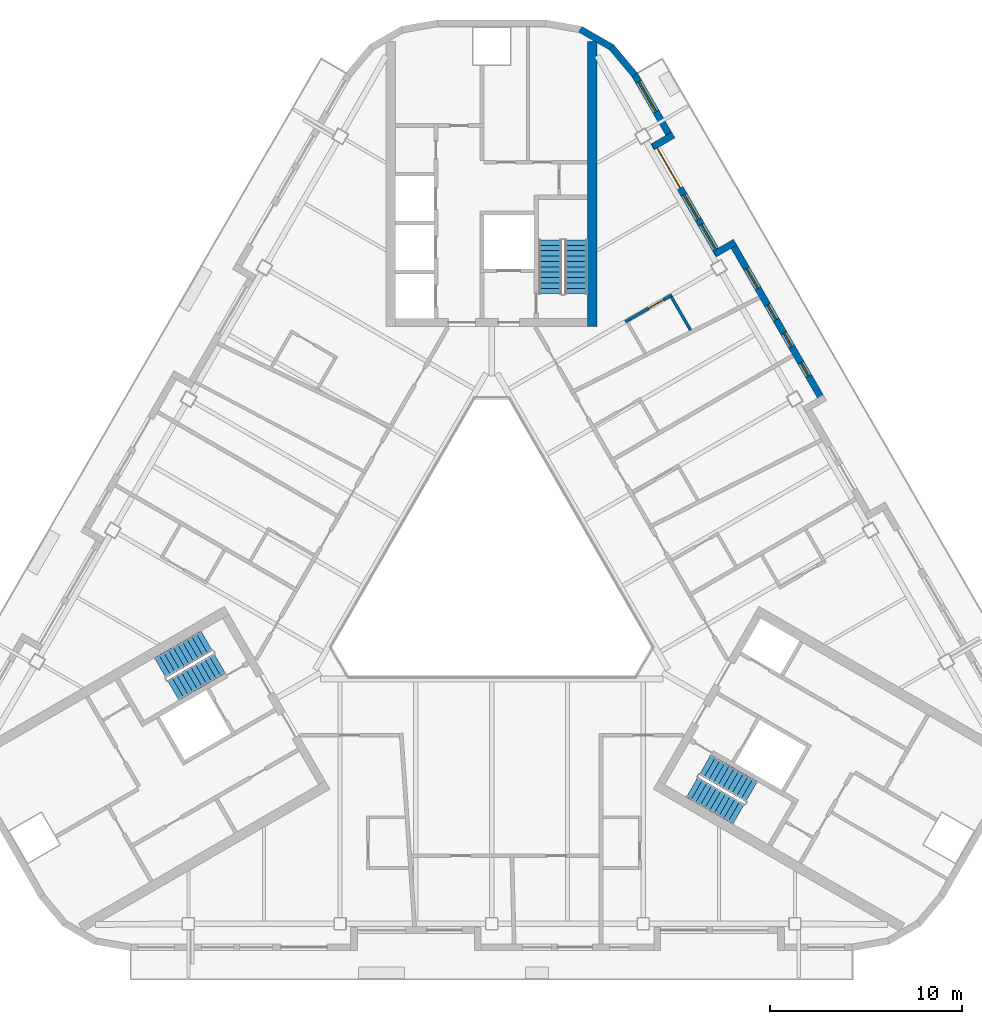
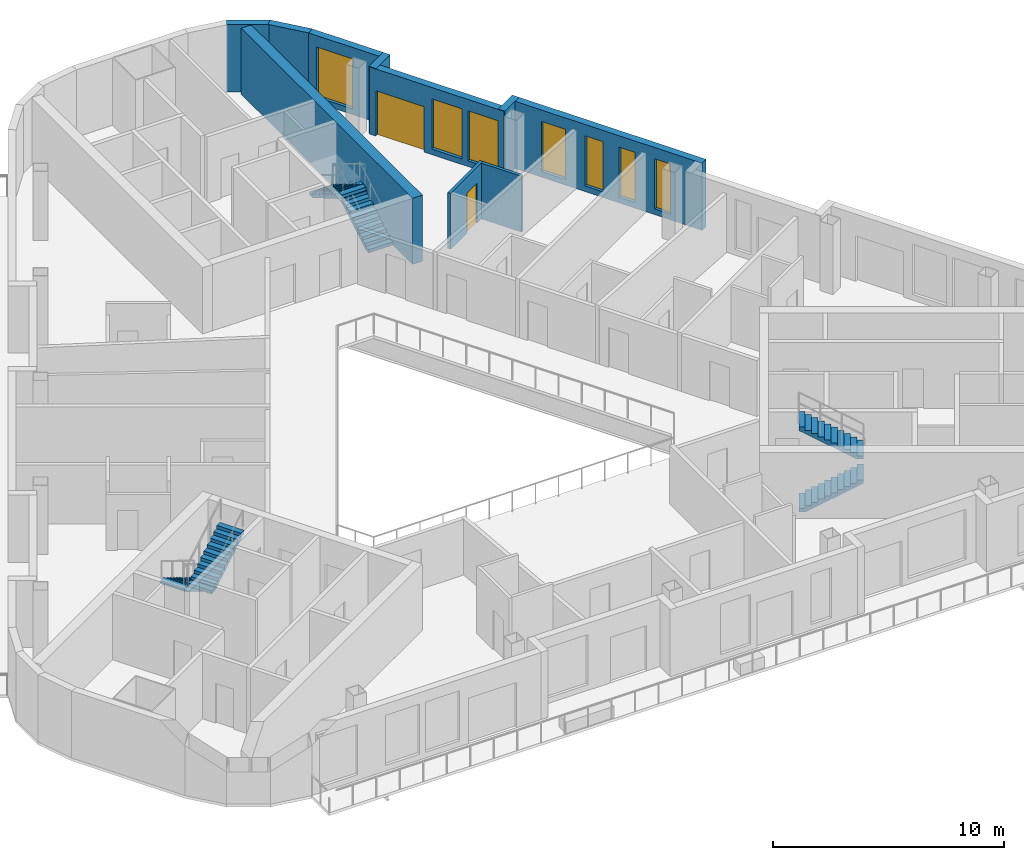
# One storey, part 8 of 14: 10 walls, 7 windows, 6 stair flights, 2 doors, 9 openings, 3 elements without a shape of their own.
"""IFC4 building model written with IfcOpenShell, lengths in metres."""

import ifcopenshell
import ifcopenshell.guid

model = None  # the IFC model being written
_history = None  # IfcOwnerHistory: only IFC2X3 demands one
_inside = {}  # id of a spatial element -> (the spatial element, [elements in it])
_under = {}  # id of a project, library or spatial element -> (it, [spatial elements below it])
_declared = {}  # id of a project -> (the project, [libraries it declares])
_typed = {}  # id of a type object -> (the type object, [elements of that type])
_made_of = {}  # id of a material, layer set ... -> (it, [elements and type objects made of it])


def new_model(schema):
    """Start an empty IFC model of exactly this schema.

    Asked for "IFC4X3", IfcOpenShell would pick the latest addendum, in which some entities
    have other attributes; the version numbers below select the first issue.
    IFC2X3 requires an IfcOwnerHistory on every rooted entity: one is made here for all.
    """
    global model, _history
    if schema == "IFC4X3":
        model = ifcopenshell.file(schema_version=(4, 3, 0, 0))
    else:
        model = ifcopenshell.file(schema=schema)
    _inside.clear()
    _under.clear()
    _declared.clear()
    _typed.clear()
    _made_of.clear()
    _history = None
    if model.schema == "IFC2X3":
        org = make("IfcOrganization", Name="unknown")
        user = make(
            "IfcPersonAndOrganization",
            ThePerson=make("IfcPerson", FamilyName="unknown"),
            TheOrganization=org,
        )
        app = make(
            "IfcApplication",
            ApplicationDeveloper=org,
            Version="unknown",
            ApplicationFullName="unknown",
            ApplicationIdentifier="unknown",
        )
        _history = make(
            "IfcOwnerHistory",
            OwningUser=user,
            OwningApplication=app,
            ChangeAction="ADDED",
            CreationDate=0,
        )
    return model


def make(cls, **values):
    """One entity of the class cls with the attributes given. An attribute that is None is left unset."""
    return model.create_entity(
        cls, **{name: value for name, value in values.items() if value is not None}
    )


def rooted(cls, **values):
    """An entity with a GlobalId (a new one), such as an element, a storey or a relation."""
    return make(cls, GlobalId=ifcopenshell.guid.new(), OwnerHistory=_history, **values)


def si_unit(unit_type, name, prefix=None):
    """IfcSIUnit, for example si_unit("LENGTHUNIT", "METRE", prefix="MILLI")."""
    return make("IfcSIUnit", UnitType=unit_type, Prefix=prefix, Name=name)


def assignment(units):
    """IfcUnitAssignment: the units of a project."""
    return None if units is None else make("IfcUnitAssignment", Units=units)


def point(xyz):
    """IfcCartesianPoint."""
    return None if xyz is None else make("IfcCartesianPoint", Coordinates=xyz)


def direction(xyz):
    """IfcDirection."""
    return None if xyz is None else make("IfcDirection", DirectionRatios=xyz)


def frame(location, z_axis=None, x_axis=None):
    """IfcAxis2Placement3D, a coordinate frame: its origin and axes. An axis left out is left unset."""
    return make(
        "IfcAxis2Placement3D",
        Location=point(location),
        Axis=direction(z_axis),
        RefDirection=direction(x_axis),
    )


def frame_2d(location, x_axis=None):
    """IfcAxis2Placement2D, a coordinate frame in the plane: its origin and x axis."""
    return make(
        "IfcAxis2Placement2D", Location=point(location), RefDirection=direction(x_axis)
    )


def origin():
    """The frame at (0, 0, 0) with its axes left unset."""
    return frame((0.0, 0.0, 0.0))


def place(relative_to, where):
    """IfcLocalPlacement: puts the frame where relative to a parent placement (None: the world)."""
    return make(
        "IfcLocalPlacement", PlacementRelTo=relative_to, RelativePlacement=where
    )


def context(
    kind, dimensions, precision=None, world=None, true_north=None, identifier=None
):
    """IfcGeometricRepresentationContext, for example the 3D "Model" context."""
    return make(
        "IfcGeometricRepresentationContext",
        ContextIdentifier=identifier,
        ContextType=kind,
        CoordinateSpaceDimension=dimensions,
        Precision=precision,
        WorldCoordinateSystem=world,
        TrueNorth=true_north,
    )


def subcontext(parent, identifier, kind, view, scale=None):
    """IfcGeometricRepresentationSubContext, for example "Body" below "Model"."""
    return make(
        "IfcGeometricRepresentationSubContext",
        ContextIdentifier=identifier,
        ContextType=kind,
        ParentContext=parent,
        TargetScale=scale,
        TargetView=view,
    )


def project(units=None, contexts=None):
    """IfcProject with its units and contexts."""
    return rooted(
        "IfcProject",
        Name="project",
        RepresentationContexts=contexts,
        UnitsInContext=assignment(units),
    )


def spatial(cls, under=None, at=None, **own):
    """A site, building, storey or space (cls), placed at a placement, below another one or the project."""
    s = rooted(cls, ObjectPlacement=at, **own)
    if under is not None:
        _under.setdefault(under.id(), (under, []))[1].append(s)
    return s


def polyline(points):
    """IfcPolyline through the points."""
    return make("IfcPolyline", Points=[point(p) for p in points])


def profile(cls, at=None, kind="AREA", **sizes):
    """A parametric profile (cls). Its sizes go by their IFC names, for example OverallWidth=200.0."""
    return make(cls, ProfileType=kind, Position=at, **sizes)


def rectangle(**sizes):
    """IfcRectangleProfileDef."""
    return profile("IfcRectangleProfileDef", **sizes)


def outline(outer, holes=None, kind="AREA"):
    """IfcArbitraryClosedProfileDef: a profile drawn as a closed curve; with holes, ...WithVoids."""
    if holes is None:
        return make("IfcArbitraryClosedProfileDef", ProfileType=kind, OuterCurve=outer)
    return make(
        "IfcArbitraryProfileDefWithVoids",
        ProfileType=kind,
        OuterCurve=outer,
        InnerCurves=holes,
    )


def extrude(swept, where, along, depth):
    """IfcExtrudedAreaSolid: the profile swept, set in the frame where, extruded along a direction by depth."""
    return make(
        "IfcExtrudedAreaSolid",
        SweptArea=swept,
        Position=where,
        ExtrudedDirection=direction(along),
        Depth=depth,
    )


def shape(context_of_items, identifier, shape_type, items):
    """IfcShapeRepresentation: the items that make up one representation, for example the "Body"."""
    return make(
        "IfcShapeRepresentation",
        ContextOfItems=context_of_items,
        RepresentationIdentifier=identifier,
        RepresentationType=shape_type,
        Items=items,
    )


def material(Name=None, Category=None):
    """IfcMaterial."""
    return make("IfcMaterial", Name=Name, Category=Category)


def layer(
    of_material, thickness, ventilated=None, Name=None, Category=None, Priority=None
):
    """IfcMaterialLayer: one layer of a wall or slab, of a material (None: an air gap)."""
    return make(
        "IfcMaterialLayer",
        Material=of_material,
        LayerThickness=thickness,
        IsVentilated=ventilated,
        Name=Name,
        Category=Category,
        Priority=Priority,
    )


def layer_set(layers, Name=None):
    """IfcMaterialLayerSet."""
    return make("IfcMaterialLayerSet", MaterialLayers=layers, LayerSetName=Name)


def made_of(thing, what):
    """Note that an element or type object is made of a material, layer set ...; save() writes the relation."""
    if what is not None:
        _made_of.setdefault(what.id(), (what, []))[1].append(thing)
    return thing


def type_object(cls, material=None, **own):
    """A type object (cls), such as IfcWallType, which elements share."""
    return made_of(rooted(cls, **own), material)


def element(
    cls,
    number,
    at=None,
    inside=None,
    cuts=None,
    type_object=None,
    material=None,
    context=None,
    identifier="Body",
    shape_type=None,
    held_by="IfcProductDefinitionShape",
    body=None,
    shapes=None,
    **own,
):
    """One element of the class cls, such as IfcWall. Its Tag is "e" and its number.

    at: its placement. inside: the storey or other place that contains it. cuts: it is an
    opening in that element (IfcRelVoidsElement). A single representation is given by context,
    identifier, shape_type and body (its items); several are given by shapes. held_by: the class
    of the entity that holds the representations. save() writes the other relations.
    """
    e = rooted(cls, Tag="e%d" % number, ObjectPlacement=at, **own)
    if body is not None:
        shapes = [shape(context, identifier, shape_type, body)]
    if shapes is not None:
        e.Representation = make(held_by, Representations=shapes)
    if inside is not None:
        _inside.setdefault(inside.id(), (inside, []))[1].append(e)
    if cuts is not None:
        rooted(
            "IfcRelVoidsElement", RelatingBuildingElement=cuts, RelatedOpeningElement=e
        )
    if type_object is not None:
        _typed.setdefault(type_object.id(), (type_object, []))[1].append(e)
    return made_of(e, material)


def fill(opening, filler):
    """IfcRelFillsElement: the door or window that sits in an opening."""
    return rooted(
        "IfcRelFillsElement",
        RelatingOpeningElement=opening,
        RelatedBuildingElement=filler,
    )


def aggregate(whole, parts):
    """IfcRelAggregates: a whole, such as a stair, and the parts it consists of."""
    return rooted("IfcRelAggregates", RelatingObject=whole, RelatedObjects=parts)


def save(model, path):
    """Write the relations noted so far, then the file.

    IfcRelAggregates (storeys below a building ...), IfcRelContainedInSpatialStructure (elements
    in a storey), IfcRelDefinesByType, IfcRelAssociatesMaterial and IfcRelDeclares: one each for
    every whole, place, type object, material and project.
    """
    for whole, parts in _under.values():
        aggregate(whole, parts)
    for where, things in _inside.values():
        rooted(
            "IfcRelContainedInSpatialStructure",
            RelatedElements=things,
            RelatingStructure=where,
        )
    for kind, things in _typed.values():
        rooted("IfcRelDefinesByType", RelatedObjects=things, RelatingType=kind)
    for what, things in _made_of.values():
        rooted("IfcRelAssociatesMaterial", RelatedObjects=things, RelatingMaterial=what)
    for by, libraries in _declared.values():
        rooted("IfcRelDeclares", RelatingContext=by, RelatedDefinitions=libraries)
    model.write(path)


model = new_model("IFC4")

# Units and contexts
model_context = context("Model", 3, precision=1e-05, world=origin(), true_north=direction((0.0, 1.0)))
body_context = subcontext(model_context, "Body", "Model", "MODEL_VIEW")
ifc_project = project(units=[si_unit("LENGTHUNIT", "METRE"), si_unit("AREAUNIT", "SQUARE_METRE"), si_unit("VOLUMEUNIT", "CUBIC_METRE"), si_unit("PLANEANGLEUNIT", "RADIAN"), si_unit("MASSUNIT", "GRAM", prefix="KILO")], contexts=[model_context])

# Site, building, storey
site_placement = place(None, origin())
site = spatial("IfcSite", under=ifc_project, at=site_placement, CompositionType="ELEMENT")
building_placement = place(site_placement, origin())
building = spatial("IfcBuilding", under=site, at=building_placement, Name="Apuvela Tower Hotel", CompositionType="ELEMENT")
storey_placement = place(building_placement, frame((0.0, 0.0, 250.39990234375)))
storey = spatial("IfcBuildingStorey", under=building, at=storey_placement, Name="L61", CompositionType="ELEMENT", Elevation=250.39990234375)

# Wall
ifc_material_1 = material(Name="Concrete C50/60", Category="concrete")
ifc_layer_1 = layer(ifc_material_1, 0.5)
ifc_layer_set_1 = layer_set([ifc_layer_1], Name="COR-WALL-CORE-500")
wall_type_1 = type_object("IfcWallType", Name="COR-WALL-CORE-500", PredefinedType="SHEAR", material=ifc_layer_set_1)
wall_1_placement = place(storey_placement, frame((5.25, 12.89990234375, 0.0), z_axis=(0.0, 0.0, 1.0), x_axis=(0.0, 1.0, 0.0)))
element("IfcWall", 1, at=wall_1_placement, inside=storey, type_object=wall_type_1, Name="Core wall N", PredefinedType="SHEAR", context=body_context, shape_type="SweptSolid", body=[
    extrude(rectangle(XDim=14.8369140625, YDim=0.5, at=frame_2d((7.41845703125, 0.0))), origin(), (0.0, 0.0, 1.0), 3.5),
])

# Wall, openings, windows
ifc_material_2 = material(Name="Concrete C40/50, dark pigmented precast panel", Category="concrete")
ifc_layer_2 = layer(ifc_material_2, 0.35009765625)
ifc_layer_set_2 = layer_set([ifc_layer_2], Name="ENV-WALL-350")
wall_type_2 = type_object("IfcWallType", Name="ENV-WALL-350", PredefinedType="SOLIDWALL", material=ifc_layer_set_2)
wall_2_placement = place(storey_placement, frame((17.298583984375, 8.947998046875, 0.0), z_axis=(0.0, 0.0, 1.0), x_axis=(-0.500010041276, 0.866019606374, 0.0)))
wall_2 = element("IfcWall", 2, at=wall_2_placement, inside=storey, type_object=wall_type_2, Name="External wall L61-37", PredefinedType="SOLIDWALL", context=body_context, shape_type="SweptSolid", body=[
    extrude(rectangle(XDim=9.699951171875, YDim=0.35009765625, at=frame_2d((4.85009765625, 0.0))), origin(), (0.0, 0.0, 1.0), 3.550048828125),
])
opening_1_placement = place(wall_2_placement, frame((1.575439453125, 0.0, 0.300048828125)))
opening_1 = element("IfcOpeningElement", 3, at=opening_1_placement, cuts=wall_2, Name="Opening WN08", PredefinedType="OPENING", context=body_context, shape_type="SweptSolid", body=[
    extrude(rectangle(XDim=0.800048828125, YDim=2.64990234375, at=frame_2d((0.39990234375, 1.324951171875))), frame((0.0, 0.18505859375, 0.0), z_axis=(0.0, -1.0, 0.0), x_axis=(1.0, 0.0, 0.0)), (0.0, 0.0, 1.0), 0.3701171875),
])
opening_2_placement = place(wall_2_placement, frame((3.3505859375, 0.0, 0.300048828125)))
opening_2 = element("IfcOpeningElement", 4, at=opening_2_placement, cuts=wall_2, Name="Opening WN08", PredefinedType="OPENING", context=body_context, shape_type="SweptSolid", body=[
    extrude(rectangle(XDim=0.800048828125, YDim=2.64990234375, at=frame_2d((0.39990234375, 1.324951171875))), frame((0.0, 0.18505859375, 0.0), z_axis=(0.0, -1.0, 0.0), x_axis=(1.0, 0.0, 0.0)), (0.0, 0.0, 1.0), 0.3701171875),
])
opening_3_placement = place(wall_2_placement, frame((4.94921875, 0.0, 0.300048828125)))
opening_3 = element("IfcOpeningElement", 5, at=opening_3_placement, cuts=wall_2, Name="Opening WN09", PredefinedType="OPENING", context=body_context, shape_type="SweptSolid", body=[
    extrude(rectangle(XDim=0.89990234375, YDim=2.64990234375, at=frame_2d((0.449951171875, 1.324951171875))), frame((0.0, 0.18505859375, 0.0), z_axis=(0.0, -1.0, 0.0), x_axis=(1.0, 0.0, 0.0)), (0.0, 0.0, 1.0), 0.3701171875),
])
opening_4_placement = place(wall_2_placement, frame((6.840087890625, 0.0, 0.300048828125)))
opening_4 = element("IfcOpeningElement", 6, at=opening_4_placement, cuts=wall_2, Name="Opening WN12", PredefinedType="OPENING", context=body_context, shape_type="SweptSolid", body=[
    extrude(rectangle(XDim=1.199951171875, YDim=2.64990234375, at=frame_2d((0.60009765625, 1.324951171875))), frame((0.0, 0.18505859375, 0.0), z_axis=(0.0, -1.0, 0.0), x_axis=(1.0, 0.0, 0.0)), (0.0, 0.0, 1.0), 0.3701171875),
])
ifc_material_3 = material(Name="Glass, dark tinted laminated insulated glazing unit", Category="glass")
window_type_1 = type_object("IfcWindowType", Name="ENV-WIN-1200x2650", PartitioningType="SINGLE_PANEL", PredefinedType="WINDOW", material=ifc_material_3)
window_1_placement = place(opening_4_placement, origin())
window_1 = element("IfcWindow", 7, at=window_1_placement, inside=storey, type_object=window_type_1, Name="Window WN12", OverallHeight=2.64990234375, OverallWidth=1.199951171875, PartitioningType="SINGLE_PANEL", PredefinedType="WINDOW", context=body_context, shape_type="SweptSolid", body=[
    extrude(rectangle(XDim=1.199951171875, YDim=2.64990234375, at=frame_2d((0.60009765625, 1.324951171875))), frame((0.0, 0.030029296875, 0.0), z_axis=(0.0, -1.0, 0.0), x_axis=(1.0, 0.0, 0.0)), (0.0, 0.0, 1.0), 0.06005859375),
])
fill(opening_4, window_1)
window_type_2 = type_object("IfcWindowType", Name="ENV-WIN-800x2650", PartitioningType="SINGLE_PANEL", PredefinedType="WINDOW", material=ifc_material_3)
window_2_placement = place(opening_1_placement, origin())
window_2 = element("IfcWindow", 8, at=window_2_placement, inside=storey, type_object=window_type_2, Name="Window WN08", OverallHeight=2.64990234375, OverallWidth=0.800048828125, PartitioningType="SINGLE_PANEL", PredefinedType="WINDOW", context=body_context, shape_type="SweptSolid", body=[
    extrude(rectangle(XDim=0.800048828125, YDim=2.64990234375, at=frame_2d((0.39990234375, 1.324951171875))), frame((0.0, 0.030029296875, 0.0), z_axis=(0.0, -1.0, 0.0), x_axis=(1.0, 0.0, 0.0)), (0.0, 0.0, 1.0), 0.06005859375),
])
fill(opening_1, window_2)
window_3_placement = place(opening_2_placement, origin())
window_3 = element("IfcWindow", 9, at=window_3_placement, inside=storey, type_object=window_type_2, Name="Window WN08", OverallHeight=2.64990234375, OverallWidth=0.800048828125, PartitioningType="SINGLE_PANEL", PredefinedType="WINDOW", context=body_context, shape_type="SweptSolid", body=[
    extrude(rectangle(XDim=0.800048828125, YDim=2.64990234375, at=frame_2d((0.39990234375, 1.324951171875))), frame((0.0, 0.030029296875, 0.0), z_axis=(0.0, -1.0, 0.0), x_axis=(1.0, 0.0, 0.0)), (0.0, 0.0, 1.0), 0.06005859375),
])
fill(opening_2, window_3)
window_type_3 = type_object("IfcWindowType", Name="ENV-WIN-900x2650", PartitioningType="SINGLE_PANEL", PredefinedType="WINDOW", material=ifc_material_3)
window_4_placement = place(opening_3_placement, origin())
window_4 = element("IfcWindow", 10, at=window_4_placement, inside=storey, type_object=window_type_3, Name="Window WN09", OverallHeight=2.64990234375, OverallWidth=0.89990234375, PartitioningType="SINGLE_PANEL", PredefinedType="WINDOW", context=body_context, shape_type="SweptSolid", body=[
    extrude(rectangle(XDim=0.89990234375, YDim=2.64990234375, at=frame_2d((0.449951171875, 1.324951171875))), frame((0.0, 0.030029296875, 0.0), z_axis=(0.0, -1.0, 0.0), x_axis=(1.0, 0.0, 0.0)), (0.0, 0.0, 1.0), 0.06005859375),
])
fill(opening_3, window_4)

# Wall
wall_3_placement = place(storey_placement, frame((12.6875, 17.284423828125, 0.0), z_axis=(0.0, 0.0, 1.0), x_axis=(-0.865955602162, -0.500120880472, 0.0)))
element("IfcWall", 11, at=wall_3_placement, inside=storey, type_object=wall_type_2, Name="External wall L61-38", PredefinedType="SOLIDWALL", context=body_context, shape_type="SweptSolid", body=[
    extrude(rectangle(XDim=1.219970703125, YDim=0.35009765625, at=frame_2d((0.60986328125, 0.0))), origin(), (0.0, 0.0, 1.0), 3.550048828125),
])

# Wall, openings, door, windows
wall_4_placement = place(storey_placement, frame((11.8291015625, 16.621337890625, 0.0), z_axis=(0.0, 0.0, 1.0), x_axis=(-0.500003597184, 0.866023326939, 0.0)))
wall_4 = element("IfcWall", 12, at=wall_4_placement, inside=storey, type_object=wall_type_2, Name="External wall L61-39", PredefinedType="SOLIDWALL", context=body_context, shape_type="SweptSolid", body=[
    extrude(rectangle(XDim=6.740234375, YDim=0.35009765625, at=frame_2d((3.3701171875, 0.0))), origin(), (0.0, 0.0, 1.0), 3.550048828125),
])
opening_5_placement = place(wall_4_placement, frame((4.01953125, 0.0, 0.0)))
opening_5 = element("IfcOpeningElement", 13, at=opening_5_placement, cuts=wall_4, Name="Opening BD24", PredefinedType="OPENING", context=body_context, shape_type="SweptSolid", body=[
    extrude(rectangle(XDim=2.39990234375, YDim=2.39990234375, at=frame_2d((1.199951171875, 1.199951171875))), frame((0.0, 0.18505859375, 0.0), z_axis=(0.0, -1.0, 0.0), x_axis=(1.0, 0.0, 0.0)), (0.0, 0.0, 1.0), 0.3701171875),
])
opening_6_placement = place(wall_4_placement, frame((0.320068359375, 0.0, 0.300048828125)))
opening_6 = element("IfcOpeningElement", 14, at=opening_6_placement, cuts=wall_4, Name="Opening WN15", PredefinedType="OPENING", context=body_context, shape_type="SweptSolid", body=[
    extrude(rectangle(XDim=1.5, YDim=2.64990234375, at=frame_2d((0.75, 1.324951171875))), frame((0.0, 0.18505859375, 0.0), z_axis=(0.0, -1.0, 0.0), x_axis=(1.0, 0.0, 0.0)), (0.0, 0.0, 1.0), 0.3701171875),
])
opening_7_placement = place(wall_4_placement, frame((2.1201171875, 0.0, 0.300048828125)))
opening_7 = element("IfcOpeningElement", 15, at=opening_7_placement, cuts=wall_4, Name="Opening WN15", PredefinedType="OPENING", context=body_context, shape_type="SweptSolid", body=[
    extrude(rectangle(XDim=1.5, YDim=2.64990234375, at=frame_2d((0.75, 1.324951171875))), frame((0.0, 0.18505859375, 0.0), z_axis=(0.0, -1.0, 0.0), x_axis=(1.0, 0.0, 0.0)), (0.0, 0.0, 1.0), 0.3701171875),
])
ifc_material_4 = material(Name="Aluminium 6063-T6, dark bronze anodised frame with dark tinted laminated glass", Category="aluminium")
door_type_1 = type_object("IfcDoorType", Name="ENV-DOOR-BALCONY-2400x2400", OperationType="SLIDING_TO_LEFT", PredefinedType="DOOR", material=ifc_material_4)
door_1_placement = place(opening_5_placement, frame((2.39990234375, 0.0, 0.0), z_axis=(0.0, 0.0, 1.0), x_axis=(-1.0, 0.0, 0.0)))
door_1 = element("IfcDoor", 16, at=door_1_placement, inside=storey, type_object=door_type_1, Name="Balcony door BD24", OperationType="SLIDING_TO_LEFT", OverallHeight=2.39990234375, OverallWidth=2.39990234375, PredefinedType="DOOR", context=body_context, shape_type="SweptSolid", body=[
    extrude(rectangle(XDim=2.39990234375, YDim=2.39990234375, at=frame_2d((1.199951171875, 1.199951171875))), frame((0.0, 0.02490234375, 0.0), z_axis=(0.0, -1.0, 0.0), x_axis=(1.0, 0.0, 0.0)), (0.0, 0.0, 1.0), 0.050048828125),
])
fill(opening_5, door_1)
window_type_4 = type_object("IfcWindowType", Name="ENV-WIN-1500x2650", PartitioningType="SINGLE_PANEL", PredefinedType="WINDOW", material=ifc_material_3)
window_5_placement = place(opening_6_placement, origin())
window_5 = element("IfcWindow", 17, at=window_5_placement, inside=storey, type_object=window_type_4, Name="Window WN15", OverallHeight=2.64990234375, OverallWidth=1.5, PartitioningType="SINGLE_PANEL", PredefinedType="WINDOW", context=body_context, shape_type="SweptSolid", body=[
    extrude(rectangle(XDim=1.5, YDim=2.64990234375, at=frame_2d((0.75, 1.324951171875))), frame((0.0, 0.030029296875, 0.0), z_axis=(0.0, -1.0, 0.0), x_axis=(1.0, 0.0, 0.0)), (0.0, 0.0, 1.0), 0.06005859375),
])
fill(opening_6, window_5)
window_6_placement = place(opening_7_placement, origin())
window_6 = element("IfcWindow", 18, at=window_6_placement, inside=storey, type_object=window_type_4, Name="Window WN15", OverallHeight=2.64990234375, OverallWidth=1.5, PartitioningType="SINGLE_PANEL", PredefinedType="WINDOW", context=body_context, shape_type="SweptSolid", body=[
    extrude(rectangle(XDim=1.5, YDim=2.64990234375, at=frame_2d((0.75, 1.324951171875))), frame((0.0, 0.030029296875, 0.0), z_axis=(0.0, -1.0, 0.0), x_axis=(1.0, 0.0, 0.0)), (0.0, 0.0, 1.0), 0.06005859375),
])
fill(opening_7, window_6)

# Wall
wall_5_placement = place(storey_placement, frame((8.406005859375, 22.26025390625, 0.0), z_axis=(0.0, 0.0, 1.0), x_axis=(0.865955602162, 0.500120880472, 0.0)))
element("IfcWall", 19, at=wall_5_placement, inside=storey, type_object=wall_type_2, Name="External wall L61-40", PredefinedType="SOLIDWALL", context=body_context, shape_type="SweptSolid", body=[
    extrude(rectangle(XDim=1.219970703125, YDim=0.35009765625, at=frame_2d((0.60986328125, 0.0))), origin(), (0.0, 0.0, 1.0), 3.550048828125),
])

# Wall, opening, window
wall_6_placement = place(storey_placement, frame((9.3984375, 22.631103515625, 0.0), z_axis=(0.0, 0.0, 1.0), x_axis=(-0.499954521343, 0.866051659307, 0.0)))
wall_6 = element("IfcWall", 20, at=wall_6_placement, inside=storey, type_object=wall_type_2, Name="External wall L61-41", PredefinedType="SOLIDWALL", context=body_context, shape_type="SweptSolid", body=[
    extrude(rectangle(XDim=3.915771484375, YDim=0.35009765625, at=frame_2d((1.9580078125, 0.0))), origin(), (0.0, 0.0, 1.0), 3.550048828125),
])
opening_8_placement = place(wall_6_placement, frame((1.67626953125, 0.0, 0.300048828125)))
opening_8 = element("IfcOpeningElement", 21, at=opening_8_placement, cuts=wall_6, Name="Opening WN18", PredefinedType="OPENING", context=body_context, shape_type="SweptSolid", body=[
    extrude(rectangle(XDim=1.800048828125, YDim=2.64990234375, at=frame_2d((0.89990234375, 1.324951171875))), frame((0.0, 0.18505859375, 0.0), z_axis=(0.0, -1.0, 0.0), x_axis=(1.0, 0.0, 0.0)), (0.0, 0.0, 1.0), 0.3701171875),
])
window_type_5 = type_object("IfcWindowType", Name="ENV-WIN-1800x2650", PartitioningType="SINGLE_PANEL", PredefinedType="WINDOW", material=ifc_material_3)
window_7_placement = place(opening_8_placement, origin())
window_7 = element("IfcWindow", 22, at=window_7_placement, inside=storey, type_object=window_type_5, Name="Window WN18", OverallHeight=2.64990234375, OverallWidth=1.800048828125, PartitioningType="SINGLE_PANEL", PredefinedType="WINDOW", context=body_context, shape_type="SweptSolid", body=[
    extrude(rectangle(XDim=1.800048828125, YDim=2.64990234375, at=frame_2d((0.89990234375, 1.324951171875))), frame((0.0, 0.030029296875, 0.0), z_axis=(0.0, -1.0, 0.0), x_axis=(1.0, 0.0, 0.0)), (0.0, 0.0, 1.0), 0.06005859375),
])
fill(opening_8, window_7)

# Walls
wall_7_placement = place(storey_placement, frame((7.4580078125, 25.99755859375, 0.0), z_axis=(0.0, 0.0, 1.0), x_axis=(-0.642808304945, 0.766027077259, 0.0)))
element("IfcWall", 23, at=wall_7_placement, inside=storey, type_object=wall_type_2, Name="External wall L61-42", PredefinedType="SOLIDWALL", context=body_context, shape_type="SweptSolid", body=[
    extrude(rectangle(XDim=1.909912109375, YDim=0.35009765625, at=frame_2d((0.955078125, 0.0))), origin(), (0.0, 0.0, 1.0), 3.550048828125),
])
wall_8_placement = place(storey_placement, frame((6.27685546875, 27.421630859375, 0.0), z_axis=(0.0, 0.0, 1.0), x_axis=(-0.866032345022, 0.499987977232, 0.0)))
element("IfcWall", 24, at=wall_8_placement, inside=storey, type_object=wall_type_2, Name="External wall L61-43", PredefinedType="SOLIDWALL", context=body_context, shape_type="SweptSolid", body=[
    extrude(rectangle(XDim=1.91015625, YDim=0.35009765625, at=frame_2d((0.955078125, 0.0))), origin(), (0.0, 0.0, 1.0), 3.550048828125),
])

# Wall, opening, door
ifc_material_5 = material(Name="Moisture-resistant gypsum board wet wall on steel stud", Category="steel")
ifc_layer_3 = layer(ifc_material_5, 0.14990234375)
ifc_layer_set_3 = layer_set([ifc_layer_3], Name="GST-PW3")
wall_type_3 = type_object("IfcWallType", Name="GST-PW3", PredefinedType="PARTITIONING", material=ifc_layer_set_3)
wall_9_placement = place(storey_placement, frame((9.39013671875, 14.53564453125, 0.0), z_axis=(0.0, 0.0, 1.0), x_axis=(-0.866034573852, -0.49998411664, 0.0)))
wall_9 = element("IfcWall", 25, at=wall_9_placement, inside=storey, type_object=wall_type_3, Name="L61 partition 35", PredefinedType="PARTITIONING", context=body_context, shape_type="SweptSolid", body=[
    extrude(rectangle(XDim=2.7998046875, YDim=0.14990234375, at=frame_2d((1.39990234375, 0.0))), origin(), (0.0, 0.0, 1.0), 2.9501953125),
])
opening_9_placement = place(wall_9_placement, frame((0.5, 0.0, 0.0)))
opening_9 = element("IfcOpeningElement", 26, at=opening_9_placement, cuts=wall_9, Name="Opening GD23-15", PredefinedType="OPENING", context=body_context, shape_type="SweptSolid", body=[
    extrude(rectangle(XDim=0.89990234375, YDim=2.10009765625, at=frame_2d((0.449951171875, 1.050048828125))), frame((0.0, 0.0849609375, 0.0), z_axis=(0.0, -1.0, 0.0), x_axis=(1.0, 0.0, 0.0)), (0.0, 0.0, 1.0), 0.169921875),
])
ifc_material_6 = material(Name="Timber door leaf in steel frame", Category="steel")
door_type_2 = type_object("IfcDoorType", Name="GST-D2", OperationType="NOTDEFINED", PredefinedType="DOOR", material=ifc_material_6)
door_2_placement = place(opening_9_placement, origin())
door_2 = element("IfcDoor", 27, at=door_2_placement, inside=storey, type_object=door_type_2, Name="Door L61-15", OperationType="SINGLE_SWING_LEFT", OverallHeight=2.10009765625, OverallWidth=0.89990234375, PredefinedType="DOOR", context=body_context, shape_type="SweptSolid", body=[
    extrude(rectangle(XDim=0.89990234375, YDim=2.10009765625, at=frame_2d((0.449951171875, 1.050048828125))), frame((0.0, 0.02490234375, 0.0), z_axis=(0.0, -1.0, 0.0), x_axis=(1.0, 0.0, 0.0)), (0.0, 0.0, 1.0), 0.050048828125),
])
fill(opening_9, door_2)

# Wall
wall_10_placement = place(storey_placement, frame((10.364990234375, 12.697509765625, 0.0), z_axis=(0.0, 0.0, 1.0), x_axis=(-0.500056363668, 0.86599285976, 0.0)))
element("IfcWall", 28, at=wall_10_placement, inside=storey, type_object=wall_type_3, Name="L61 partition 36", PredefinedType="PARTITIONING", context=body_context, shape_type="SweptSolid", body=[
    extrude(rectangle(XDim=2.004150390625, YDim=0.14990234375, at=frame_2d((1.001953125, 0.0))), origin(), (0.0, 0.0, 1.0), 2.9501953125),
])

# Stair, stair flights
stair_type = type_object("IfcStairType", Name="COR-STAIR-22R", PredefinedType="HALF_TURN_STAIR", material=ifc_material_1)
stair_1_placement = place(storey_placement, origin())
stair_1 = element("IfcStair", 29, at=stair_1_placement, inside=storey, type_object=stair_type, Name="L61 Exit stair ST1", PredefinedType="HALF_TURN_STAIR")
stair_flight_type = type_object("IfcStairFlightType", Name="COR-FLIGHT-11R", PredefinedType="STRAIGHT", material=ifc_material_1)
stair_flight_1_placement = place(storey_placement, frame((4.39990234375, 14.60009765625, 0.0), z_axis=(0.0, 0.0, 1.0), x_axis=(0.0, 1.0, 0.0)))
stair_flight_1 = element("IfcStairFlight", 30, at=stair_flight_1_placement, type_object=stair_flight_type, Name="ST1 flight 1", NumberOfRisers=11, NumberOfTreads=10, PredefinedType="STRAIGHT", RiserHeight=0.168181818, TreadLength=0.28, context=body_context, shape_type="SweptSolid", body=[
    extrude(outline(polyline([(0.0, 0.0), (0.0, 0.168212890625), (0.280029296875, 0.168212890625), (0.280029296875, 0.33642578125), (0.56005859375, 0.33642578125), (0.56005859375, 0.504638671875), (0.840087890625, 0.504638671875), (0.840087890625, 0.672607421875), (1.1201171875, 0.672607421875), (1.1201171875, 0.8408203125), (1.39990234375, 0.8408203125), (1.39990234375, 1.009033203125), (1.679931640625, 1.009033203125), (1.679931640625, 1.17724609375), (1.9599609375, 1.17724609375), (1.9599609375, 1.345458984375), (2.239990234375, 1.345458984375), (2.239990234375, 1.513671875), (2.52001953125, 1.513671875), (2.52001953125, 1.681884765625), (2.800048828125, 1.681884765625), (2.800048828125, 1.85009765625), (2.800048828125, 1.5068359375), (0.291015625, 0.0), (0.0, 0.0)])), frame((0.0, 0.60009765625, 0.0), z_axis=(0.0, -1.0, 0.0), x_axis=(1.0, 0.0, 0.0)), (0.0, 0.0, 1.0), 1.199951171875),
])
stair_flight_2_placement = place(storey_placement, frame((3.050048828125, 17.39990234375, 1.85009765625), z_axis=(0.0, 0.0, 1.0), x_axis=(0.0, -1.0, 0.0)))
stair_flight_2 = element("IfcStairFlight", 31, at=stair_flight_2_placement, type_object=stair_flight_type, Name="ST1 flight 2", NumberOfRisers=11, NumberOfTreads=10, PredefinedType="STRAIGHT", RiserHeight=0.168181818, TreadLength=0.28, context=body_context, shape_type="SweptSolid", body=[
    extrude(outline(polyline([(0.0, 0.0), (0.0, 0.168212890625), (0.280029296875, 0.168212890625), (0.280029296875, 0.33642578125), (0.56005859375, 0.33642578125), (0.56005859375, 0.504638671875), (0.840087890625, 0.504638671875), (0.840087890625, 0.672607421875), (1.1201171875, 0.672607421875), (1.1201171875, 0.8408203125), (1.39990234375, 0.8408203125), (1.39990234375, 1.009033203125), (1.679931640625, 1.009033203125), (1.679931640625, 1.17724609375), (1.9599609375, 1.17724609375), (1.9599609375, 1.345458984375), (2.239990234375, 1.345458984375), (2.239990234375, 1.513671875), (2.52001953125, 1.513671875), (2.52001953125, 1.681884765625), (2.800048828125, 1.681884765625), (2.800048828125, 1.85009765625), (2.800048828125, 1.5068359375), (0.291015625, 0.0), (0.0, 0.0)])), frame((0.0, 0.60009765625, 0.0), z_axis=(0.0, -1.0, 0.0), x_axis=(1.0, 0.0, 0.0)), (0.0, 0.0, 1.0), 1.199951171875),
])
aggregate(stair_1, [stair_flight_1, stair_flight_2])

stair_2_placement = place(storey_placement, origin())
stair_2 = element("IfcStair", 32, at=stair_2_placement, inside=storey, type_object=stair_type, Name="L61 Exit stair ST2", PredefinedType="HALF_TURN_STAIR")
stair_flight_3_placement = place(storey_placement, frame((-14.843994140625, -3.489501953125, 0.0), z_axis=(0.0, 0.0, 1.0), x_axis=(-0.866025403784, -0.5, 0.0)))
stair_flight_3 = element("IfcStairFlight", 33, at=stair_flight_3_placement, type_object=stair_flight_type, Name="ST2 flight 1", NumberOfRisers=11, NumberOfTreads=10, PredefinedType="STRAIGHT", RiserHeight=0.168181818, TreadLength=0.28, context=body_context, shape_type="SweptSolid", body=[
    extrude(outline(polyline([(0.0, 0.0), (0.0, 0.168212890625), (0.280029296875, 0.168212890625), (0.280029296875, 0.33642578125), (0.56005859375, 0.33642578125), (0.56005859375, 0.504638671875), (0.840087890625, 0.504638671875), (0.840087890625, 0.672607421875), (1.1201171875, 0.672607421875), (1.1201171875, 0.8408203125), (1.39990234375, 0.8408203125), (1.39990234375, 1.009033203125), (1.679931640625, 1.009033203125), (1.679931640625, 1.17724609375), (1.9599609375, 1.17724609375), (1.9599609375, 1.345458984375), (2.239990234375, 1.345458984375), (2.239990234375, 1.513671875), (2.52001953125, 1.513671875), (2.52001953125, 1.681884765625), (2.800048828125, 1.681884765625), (2.800048828125, 1.85009765625), (2.800048828125, 1.5068359375), (0.291015625, 0.0), (0.0, 0.0)])), frame((0.0, 0.60009765625, 0.0), z_axis=(0.0, -1.0, 0.0), x_axis=(1.0, 0.0, 0.0)), (0.0, 0.0, 1.0), 1.199951171875),
])
stair_flight_4_placement = place(storey_placement, frame((-16.59375, -6.05859375, 1.85009765625), z_axis=(0.0, 0.0, 1.0), x_axis=(0.866025403784, 0.5, 0.0)))
stair_flight_4 = element("IfcStairFlight", 34, at=stair_flight_4_placement, type_object=stair_flight_type, Name="ST2 flight 2", NumberOfRisers=11, NumberOfTreads=10, PredefinedType="STRAIGHT", RiserHeight=0.168181818, TreadLength=0.28, context=body_context, shape_type="SweptSolid", body=[
    extrude(outline(polyline([(0.0, 0.0), (0.0, 0.168212890625), (0.280029296875, 0.168212890625), (0.280029296875, 0.33642578125), (0.56005859375, 0.33642578125), (0.56005859375, 0.504638671875), (0.840087890625, 0.504638671875), (0.840087890625, 0.672607421875), (1.1201171875, 0.672607421875), (1.1201171875, 0.8408203125), (1.39990234375, 0.8408203125), (1.39990234375, 1.009033203125), (1.679931640625, 1.009033203125), (1.679931640625, 1.17724609375), (1.9599609375, 1.17724609375), (1.9599609375, 1.345458984375), (2.239990234375, 1.345458984375), (2.239990234375, 1.513671875), (2.52001953125, 1.513671875), (2.52001953125, 1.681884765625), (2.800048828125, 1.681884765625), (2.800048828125, 1.85009765625), (2.800048828125, 1.5068359375), (0.291015625, 0.0), (0.0, 0.0)])), frame((0.0, 0.60009765625, 0.0), z_axis=(0.0, -1.0, 0.0), x_axis=(1.0, 0.0, 0.0)), (0.0, 0.0, 1.0), 1.199951171875),
])
aggregate(stair_2, [stair_flight_3, stair_flight_4])

stair_3_placement = place(storey_placement, origin())
stair_3 = element("IfcStair", 35, at=stair_3_placement, inside=storey, type_object=stair_type, Name="L61 Exit stair ST3", PredefinedType="HALF_TURN_STAIR")
stair_flight_5_placement = place(storey_placement, frame((10.444091796875, -11.110595703125, 0.0), z_axis=(0.0, 0.0, 1.0), x_axis=(0.866025403784, -0.5, 0.0)))
stair_flight_5 = element("IfcStairFlight", 36, at=stair_flight_5_placement, type_object=stair_flight_type, Name="ST3 flight 1", NumberOfRisers=11, NumberOfTreads=10, PredefinedType="STRAIGHT", RiserHeight=0.168181818, TreadLength=0.28, context=body_context, shape_type="SweptSolid", body=[
    extrude(outline(polyline([(0.0, 0.0), (0.0, 0.168212890625), (0.280029296875, 0.168212890625), (0.280029296875, 0.33642578125), (0.56005859375, 0.33642578125), (0.56005859375, 0.504638671875), (0.840087890625, 0.504638671875), (0.840087890625, 0.672607421875), (1.1201171875, 0.672607421875), (1.1201171875, 0.8408203125), (1.39990234375, 0.8408203125), (1.39990234375, 1.009033203125), (1.679931640625, 1.009033203125), (1.679931640625, 1.17724609375), (1.9599609375, 1.17724609375), (1.9599609375, 1.345458984375), (2.239990234375, 1.345458984375), (2.239990234375, 1.513671875), (2.52001953125, 1.513671875), (2.52001953125, 1.681884765625), (2.800048828125, 1.681884765625), (2.800048828125, 1.85009765625), (2.800048828125, 1.5068359375), (0.291015625, 0.0), (0.0, 0.0)])), frame((0.0, 0.60009765625, 0.0), z_axis=(0.0, -1.0, 0.0), x_axis=(1.0, 0.0, 0.0)), (0.0, 0.0, 1.0), 1.199951171875),
])
stair_flight_6_placement = place(storey_placement, frame((13.5439453125, -11.34130859375, 1.85009765625), z_axis=(0.0, 0.0, 1.0), x_axis=(-0.866025403784, 0.5, 0.0)))
stair_flight_6 = element("IfcStairFlight", 37, at=stair_flight_6_placement, type_object=stair_flight_type, Name="ST3 flight 2", NumberOfRisers=11, NumberOfTreads=10, PredefinedType="STRAIGHT", RiserHeight=0.168181818, TreadLength=0.28, context=body_context, shape_type="SweptSolid", body=[
    extrude(outline(polyline([(0.0, 0.0), (0.0, 0.168212890625), (0.280029296875, 0.168212890625), (0.280029296875, 0.33642578125), (0.56005859375, 0.33642578125), (0.56005859375, 0.504638671875), (0.840087890625, 0.504638671875), (0.840087890625, 0.672607421875), (1.1201171875, 0.672607421875), (1.1201171875, 0.8408203125), (1.39990234375, 0.8408203125), (1.39990234375, 1.009033203125), (1.679931640625, 1.009033203125), (1.679931640625, 1.17724609375), (1.9599609375, 1.17724609375), (1.9599609375, 1.345458984375), (2.239990234375, 1.345458984375), (2.239990234375, 1.513671875), (2.52001953125, 1.513671875), (2.52001953125, 1.681884765625), (2.800048828125, 1.681884765625), (2.800048828125, 1.85009765625), (2.800048828125, 1.5068359375), (0.291015625, 0.0), (0.0, 0.0)])), frame((0.0, 0.60009765625, 0.0), z_axis=(0.0, -1.0, 0.0), x_axis=(1.0, 0.0, 0.0)), (0.0, 0.0, 1.0), 1.199951171875),
])
aggregate(stair_3, [stair_flight_5, stair_flight_6])

save(model, "model.ifc")
